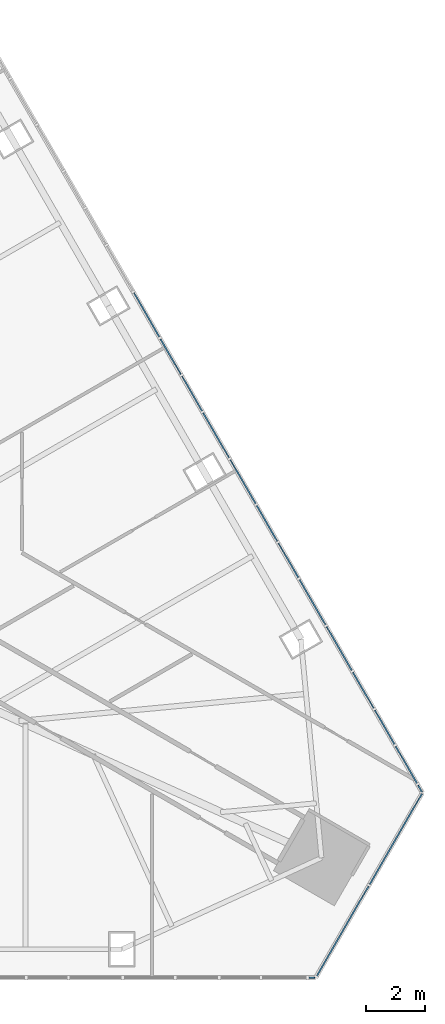
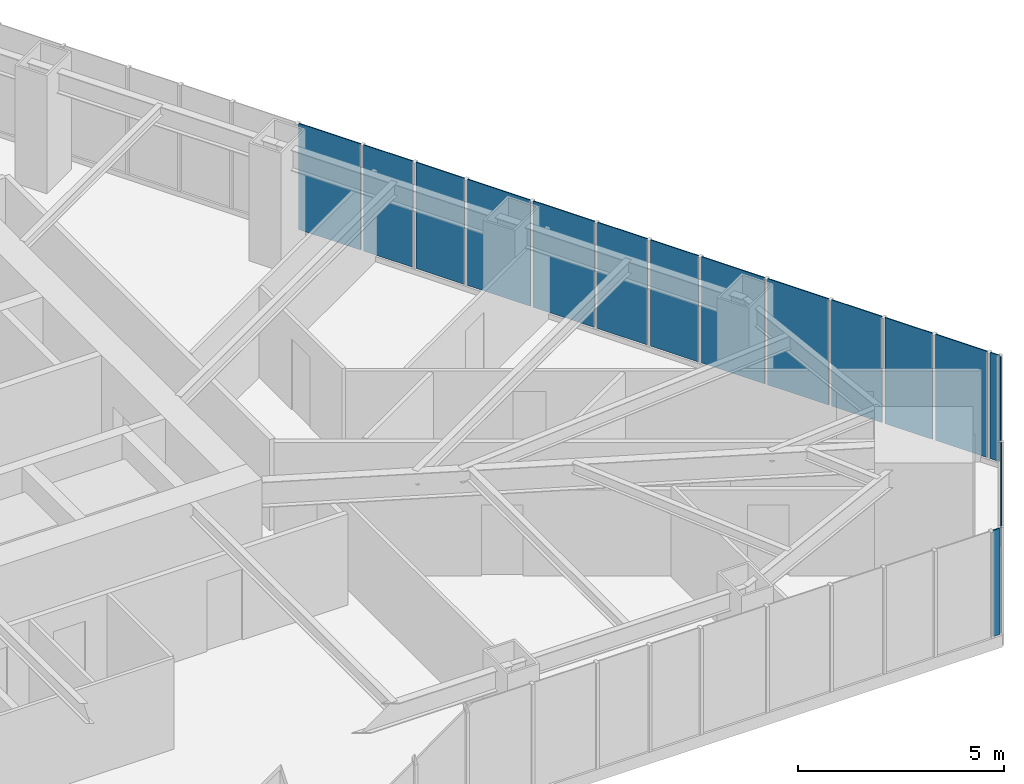
# One storey, part 13 of 21: 16 plates, 3 elements without a shape of their own.
"""IFC4 building model written with IfcOpenShell, lengths in metres."""

from ifc_helpers import new_model, si_unit, direction, frame, origin, place, context, subcontext, project, spatial, polyline, outline, extrude, material, layer, layer_set, type_object, element, aggregate, save


model = new_model("IFC4")

# Units and contexts
model_context = context("Model", 3, precision=1e-05, world=origin(), true_north=direction((0.0, 1.0)))
body_context = subcontext(model_context, "Body", "Model", "MODEL_VIEW")
ifc_project = project(units=[si_unit("LENGTHUNIT", "METRE"), si_unit("AREAUNIT", "SQUARE_METRE"), si_unit("VOLUMEUNIT", "CUBIC_METRE"), si_unit("PLANEANGLEUNIT", "RADIAN"), si_unit("MASSUNIT", "GRAM", prefix="KILO")], contexts=[model_context])

# Site, building, storey
site_placement = place(None, origin())
site = spatial("IfcSite", under=ifc_project, at=site_placement, CompositionType="ELEMENT")
building_placement = place(site_placement, origin())
building = spatial("IfcBuilding", under=site, at=building_placement, Name="Firuza Gate Tower and Library", CompositionType="ELEMENT")
storey_placement = place(building_placement, frame((0.0, 0.0, 274.10009765625)))
storey = spatial("IfcBuildingStorey", under=building, at=storey_placement, Name="L65", CompositionType="ELEMENT", Elevation=274.10009765625)

# Curtain wall, plates
ifc_material_1 = material(Name="Aluminium 6063-T6", Category="aluminium")
ifc_layer_1 = layer(ifc_material_1, 0.14990234375)
ifc_layer_set_1 = layer_set([ifc_layer_1], Name="Corner curtain wall, chamfers")
curtain_wall_type_1 = type_object("IfcCurtainWallType", Name="Corner curtain wall, chamfers", PredefinedType="NOTDEFINED", material=ifc_layer_set_1)
placement = place(storey_placement, origin())
curtain_wall_1 = element("IfcCurtainWall", 1, at=placement, inside=storey, type_object=curtain_wall_type_1, Name="CW4 L65 SE corner", PredefinedType="NOTDEFINED")
ifc_material_2 = material(Name="Fritted glass", Category="glass")
ifc_layer_2 = layer(ifc_material_2, 0.030029296875)
ifc_layer_set_2 = layer_set([ifc_layer_2], Name="Fritted glass unit, corners")
plate_type_1 = type_object("IfcPlateType", Name="Fritted glass unit, corners", PredefinedType="CURTAIN_PANEL", material=ifc_layer_set_2)
plate_1_placement = place(storey_placement, frame((98.054931640625, 57.528564453125, 0.14990234375), z_axis=(0.866016723041, -0.500015035186, 0.0), x_axis=(0.500015035186, 0.866016723041, 0.0)))
plate_1 = element("IfcPlate", 2, at=plate_1_placement, type_object=plate_type_1, Name="Glass unit", PredefinedType="CURTAIN_PANEL", context=body_context, shape_type="SweptSolid", body=[
    extrude(outline(polyline([(0.0, 0.0), (3.5633694106530625, 0.0), (3.5633694106530625, 3.14990234375), (0.0, 3.14990234375), (0.0, 0.0)])), origin(), (0.0, 0.0, -1.0), 0.030029296875),
])
plate_2_placement = place(storey_placement, frame((99.876708984375, 60.68359375, 0.14990234375), z_axis=(0.866046390552, -0.49996364809, 0.0), x_axis=(0.49996364809, 0.866046390552, 0.0)))
plate_2 = element("IfcPlate", 3, at=plate_2_placement, type_object=plate_type_1, Name="Glass unit", PredefinedType="CURTAIN_PANEL", context=body_context, shape_type="SweptSolid", body=[
    extrude(outline(polyline([(0.0, 0.0), (3.563247342942594, 0.0), (3.563247342942594, 3.14990234375), (0.0, 3.14990234375), (0.0, 0.0)])), origin(), (0.0, 0.0, -1.0), 0.030029296875),
])
aggregate(curtain_wall_1, [plate_1, plate_2])

ifc_material_3 = material(Name="Aluminium 6063-T6", Category="aluminium")
ifc_layer_3 = layer(ifc_material_3, 0.14990234375)
ifc_layer_set_3 = layer_set([ifc_layer_3], Name="Unitised curtain wall, residences")
curtain_wall_type_2 = type_object("IfcCurtainWallType", Name="Unitised curtain wall, residences", PredefinedType="NOTDEFINED", material=ifc_layer_set_3)
curtain_wall_2 = element("IfcCurtainWall", 4, at=placement, inside=storey, type_object=curtain_wall_type_2, Name="CW3 L65 E face", PredefinedType="NOTDEFINED")
ifc_material_4 = material(Name="Fritted glass", Category="glass")
ifc_layer_4 = layer(ifc_material_4, 0.030029296875)
ifc_layer_set_4 = layer_set([ifc_layer_4], Name="Fritted glass unit, residences")
plate_type_2 = type_object("IfcPlateType", Name="Fritted glass unit, residences", PredefinedType="CURTAIN_PANEL", material=ifc_layer_set_4)
plate_3_placement = place(storey_placement, frame((101.49267578125, 64.140625, 0.14990234375), z_axis=(0.866037657489, 0.499978775361, 0.0), x_axis=(-0.499978775361, 0.866037657489, 0.0)))
plate_3 = element("IfcPlate", 5, at=plate_3_placement, type_object=plate_type_2, Name="Glass unit", PredefinedType="CURTAIN_PANEL", context=body_context, shape_type="SweptSolid", body=[
    extrude(outline(polyline([(0.0, 0.0), (1.4566048005727479, 0.0), (1.4566048005727479, 3.14990234375), (0.0, 3.14990234375), (0.0, 0.0)])), origin(), (0.0, 0.0, -1.0), 0.030029296875),
])
plate_4_placement = place(storey_placement, frame((99.26611328125, 67.9970703125, 0.14990234375), z_axis=(0.866033729024, 0.499985579985, 0.0), x_axis=(-0.499985579985, 0.866033729024, 0.0)))
plate_4 = element("IfcPlate", 6, at=plate_4_placement, type_object=plate_type_2, Name="Glass unit", PredefinedType="CURTAIN_PANEL", context=body_context, shape_type="SweptSolid", body=[
    extrude(outline(polyline([(0.0, 0.0), (1.7134283215758555, 0.0), (1.7134283215758555, 3.1499023437499996), (0.0, 3.1499023437499996), (0.0, 0.0)])), origin(), (0.0, 0.0, -1.0), 0.030029296875),
])
plate_5_placement = place(storey_placement, frame((98.369384765625, 69.55029296875, 0.14990234375), z_axis=(0.866034453953, 0.499984324321, 0.0), x_axis=(-0.499984324321, 0.866034453953, 0.0)))
plate_5 = element("IfcPlate", 7, at=plate_5_placement, type_object=plate_type_2, Name="Glass unit", PredefinedType="CURTAIN_PANEL", context=body_context, shape_type="SweptSolid", body=[
    extrude(outline(polyline([(0.0, 0.0), (1.7754462876527597, 0.0), (1.7754462876527597, 3.14990234375), (0.0, 3.14990234375), (0.0, 0.0)])), origin(), (0.0, 0.0, -1.0), 0.030029296875),
])
plate_6_placement = place(storey_placement, frame((95.9833984375, 73.682861328125, 0.14990234375), z_axis=(0.866058379388, 0.499942880228, 0.0), x_axis=(-0.499942880228, 0.866058379388, 0.0)))
plate_6 = element("IfcPlate", 8, at=plate_6_placement, type_object=plate_type_2, Name="Glass unit", PredefinedType="CURTAIN_PANEL", context=body_context, shape_type="SweptSolid", body=[
    extrude(outline(polyline([(0.0, 0.0), (1.725783090171679, 0.0), (1.725783090171679, 3.14990234375), (0.0, 3.14990234375), (0.0, 0.0)])), origin(), (0.0, 0.0, -1.0), 0.030029296875),
])
plate_7_placement = place(storey_placement, frame((95.08056640625, 75.246826171875, 0.14990234375), z_axis=(0.866010328312, 0.500026110575, 0.0), x_axis=(-0.500026110575, 0.866010328312, 0.0)))
plate_7 = element("IfcPlate", 9, at=plate_7_placement, type_object=plate_type_2, Name="Glass unit", PredefinedType="CURTAIN_PANEL", context=body_context, shape_type="SweptSolid", body=[
    extrude(outline(polyline([(0.0, 0.0), (1.7630915230835504, 0.0), (1.7630915230835504, 3.14990234375), (0.0, 3.14990234375), (0.0, 0.0)])), origin(), (0.0, 0.0, -1.0), 0.030029296875),
])
plate_8_placement = place(storey_placement, frame((92.700927734375, 79.36865234375, 0.14990234375), z_axis=(0.866021861762, 0.500006134913, 0.0), x_axis=(-0.500006134913, 0.866021861762, 0.0)))
plate_8 = element("IfcPlate", 10, at=plate_8_placement, type_object=plate_type_2, Name="Glass unit", PredefinedType="CURTAIN_PANEL", context=body_context, shape_type="SweptSolid", body=[
    extrude(outline(polyline([(0.0, 0.0), (1.7382599218538815, 0.0), (1.7382599218538815, 3.14990234375), (0.0, 3.14990234375), (0.0, 0.0)])), origin(), (0.0, 0.0, -1.0), 0.030029296875),
])

# Curtain wall, plate
curtain_wall_3 = element("IfcCurtainWall", 11, at=placement, inside=storey, type_object=curtain_wall_type_2, Name="CW3 L65 S face", PredefinedType="NOTDEFINED")
ifc_material_5 = material(Name="Glazed ceramic tile")
ifc_layer_5 = layer(ifc_material_5, 0.030029296875)
ifc_layer_set_5 = layer_set([ifc_layer_5], Name="Opaque ceramic panel, residences")
plate_type_3 = type_object("IfcPlateType", Name="Opaque ceramic panel, residences", PredefinedType="CURTAIN_PANEL", material=ifc_layer_set_5)
plate_9_placement = place(storey_placement, frame((97.7958984375, 57.486328125, 0.14990234375), z_axis=(0.0, -1.0, 0.0), x_axis=(1.0, 0.0, 0.0)))
plate_9 = element("IfcPlate", 12, at=plate_9_placement, type_object=plate_type_3, Name="Opaque ceramic panel", PredefinedType="CURTAIN_PANEL", context=body_context, shape_type="SweptSolid", body=[
    extrude(outline(polyline([(0.0, 0.0), (0.18603515625, 0.0), (0.18603515625, 3.14990234375), (0.0, 3.14990234375), (0.0, 0.0)])), origin(), (0.0, 0.0, -1.0), 0.030029296875),
])
aggregate(curtain_wall_3, [plate_9])

# Plate
plate_10_placement = place(storey_placement, frame((101.658203125, 63.853759765625, 0.14990234375), z_axis=(0.866201770413, 0.499694399542, 0.0), x_axis=(-0.499694399542, 0.866201770413, 0.0)))
plate_10 = element("IfcPlate", 13, at=plate_10_placement, type_object=plate_type_3, Name="Opaque ceramic panel", PredefinedType="CURTAIN_PANEL", context=body_context, shape_type="SweptSolid", body=[
    extrude(outline(polyline([(0.0, 0.0), (0.25113005341856437, 0.0), (0.25113005341856437, 3.14990234375), (0.0, 3.14990234375), (0.0, 0.0)])), origin(), (0.0, 0.0, -1.0), 0.030029296875),
])

plate_11_placement = place(storey_placement, frame((100.724365234375, 65.471435546875, 0.14990234375), z_axis=(0.865982457891, 0.500074377092, 0.0), x_axis=(-0.500074377092, 0.865982457891, 0.0)))
plate_11 = element("IfcPlate", 14, at=plate_11_placement, type_object=plate_type_3, Name="Opaque ceramic panel", PredefinedType="CURTAIN_PANEL", context=body_context, shape_type="SweptSolid", body=[
    extrude(outline(polyline([(0.0, 0.0), (1.3411090981597318, 0.0), (1.3411090981597318, 3.14990234375), (0.0, 3.14990234375), (0.0, 0.0)])), origin(), (0.0, 0.0, -1.0), 0.030029296875),
])

plate_12_placement = place(storey_placement, frame((100.013916015625, 66.7021484375, 0.14990234375), z_axis=(0.865972988205, 0.500090775459, 0.0), x_axis=(-0.500090775459, 0.865972988205, 0.0)))
plate_12 = element("IfcPlate", 15, at=plate_12_placement, type_object=plate_type_3, Name="Opaque ceramic panel", PredefinedType="CURTAIN_PANEL", context=body_context, shape_type="SweptSolid", body=[
    extrude(outline(polyline([(0.0, 0.0), (1.4152704001086636, 0.0), (1.4152704001086636, 3.14990234375), (0.0, 3.14990234375), (0.0, 0.0)])), origin(), (0.0, 0.0, -1.0), 0.030029296875),
])

plate_13_placement = place(storey_placement, frame((97.441650390625, 71.1572265625, 0.14990234375), z_axis=(0.86601436245, 0.500019123664, 0.0), x_axis=(-0.500019123664, 0.86601436245, 0.0)))
plate_13 = element("IfcPlate", 16, at=plate_13_placement, type_object=plate_type_3, Name="Opaque ceramic panel", PredefinedType="CURTAIN_PANEL", context=body_context, shape_type="SweptSolid", body=[
    extrude(outline(polyline([(0.0, 0.0), (1.3534638586232268, 0.0), (1.3534638586232268, 3.149902343750001), (0.0, 3.149902343750001), (0.0, 0.0)])), origin(), (0.0, 0.0, -1.0), 0.030029296875),
])

plate_14_placement = place(storey_placement, frame((96.72509765625, 72.3984375, 0.14990234375), z_axis=(0.865985641702, 0.500068863623, 0.0), x_axis=(-0.500068863623, 0.865985641702, 0.0)))
plate_14 = element("IfcPlate", 17, at=plate_14_placement, type_object=plate_type_3, Name="Opaque ceramic panel", PredefinedType="CURTAIN_PANEL", context=body_context, shape_type="SweptSolid", body=[
    extrude(outline(polyline([(0.0, 0.0), (1.4031270636732391, 0.0), (1.4031270636732391, 3.14990234375), (0.0, 3.14990234375), (0.0, 0.0)])), origin(), (0.0, 0.0, -1.0), 0.030029296875),
])

plate_15_placement = place(storey_placement, frame((94.158935546875, 76.8427734375, 0.14990234375), z_axis=(0.866045686382, 0.499964867866, 0.0), x_axis=(-0.499964867866, 0.866045686382, 0.0)))
plate_15 = element("IfcPlate", 18, at=plate_15_placement, type_object=plate_type_3, Name="Opaque ceramic panel", PredefinedType="CURTAIN_PANEL", context=body_context, shape_type="SweptSolid", body=[
    extrude(outline(polyline([(0.0, 0.0), (1.3658186244967807, 0.0), (1.3658186244967807, 3.14990234375), (0.0, 3.14990234375), (0.0, 0.0)])), origin(), (0.0, 0.0, -1.0), 0.030029296875),
])

plate_16_placement = place(storey_placement, frame((93.43603515625, 78.094970703125, 0.14990234375), z_axis=(0.866030639775, 0.499990930889, 0.0), x_axis=(-0.499990930889, 0.866030639775, 0.0)))
plate_16 = element("IfcPlate", 19, at=plate_16_placement, type_object=plate_type_3, Name="Opaque ceramic panel", PredefinedType="CURTAIN_PANEL", context=body_context, shape_type="SweptSolid", body=[
    extrude(outline(polyline([(0.0, 0.0), (1.3906502239211345, 0.0), (1.3906502239211345, 3.149902343750001), (0.0, 3.149902343750001), (0.0, 0.0)])), origin(), (0.0, 0.0, -1.0), 0.030029296875),
])

aggregate(curtain_wall_2, [plate_10, plate_3, plate_11, plate_12, plate_4, plate_5, plate_13, plate_14, plate_6, plate_7, plate_15, plate_16, plate_8])

save(model, "model.ifc")
